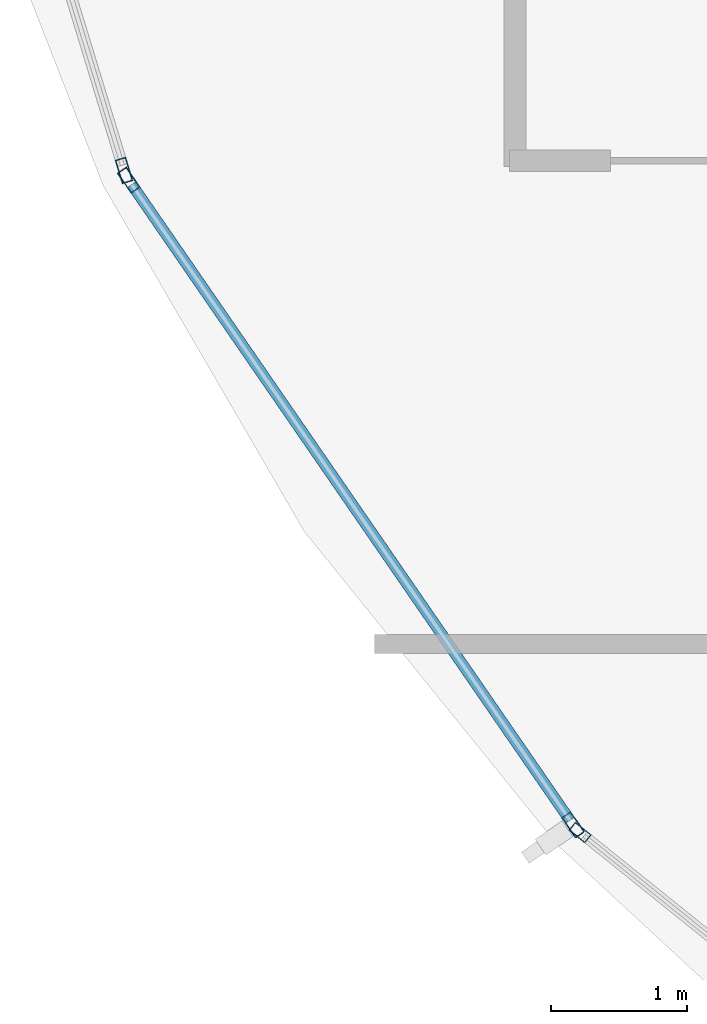
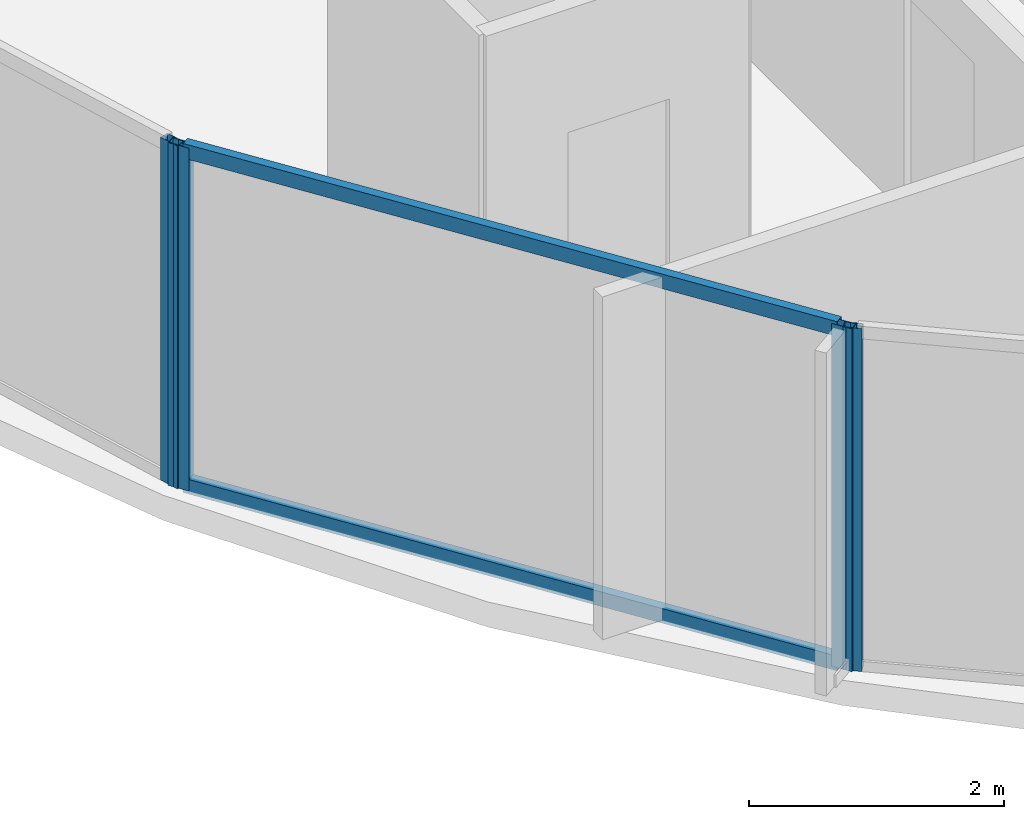
# One storey, part 3 of 33: 6 members, 3 elements without a shape of their own.
"""IFC4 building model written with IfcOpenShell, lengths in metres."""

from ifc_helpers import new_model, si_unit, direction, frame, origin, origin_2d, place, context, subcontext, project, spatial, hollow_rectangle, extrude, material, layer, layer_set, material_profile, profile_set, type_object, element, aggregate, save


model = new_model("IFC4")

# Units and contexts
model_context = context("Model", 3, precision=1e-05, world=origin(), true_north=direction((0.0, 1.0)))
body_context = subcontext(model_context, "Body", "Model", "MODEL_VIEW")
ifc_project = project(units=[si_unit("LENGTHUNIT", "METRE"), si_unit("AREAUNIT", "SQUARE_METRE"), si_unit("VOLUMEUNIT", "CUBIC_METRE"), si_unit("PLANEANGLEUNIT", "RADIAN"), si_unit("MASSUNIT", "GRAM", prefix="KILO")], contexts=[model_context])

# Site, building, storey
site_placement = place(None, origin())
site = spatial("IfcSite", under=ifc_project, at=site_placement, CompositionType="ELEMENT")
building_placement = place(site_placement, origin())
building = spatial("IfcBuilding", under=site, at=building_placement, Name="Kazevale Care Tower and Concert Hall", CompositionType="ELEMENT")
storey_placement = place(building_placement, frame((0.0, 0.0, 178.199951171875)))
storey = spatial("IfcBuildingStorey", under=building, at=storey_placement, Name="L47", CompositionType="ELEMENT", Elevation=178.199951171875)

# Curtain wall, members
ifc_material_1 = material(Name="Aluminium 6063-T6 and Low-E Glass", Category="aluminium")
ifc_layer_1 = layer(ifc_material_1, 0.179931640625)
ifc_layer_set_1 = layer_set([ifc_layer_1], Name="Aluminium 6063-T6 and Low-E Glass")
curtain_wall_type_1 = type_object("IfcCurtainWallType", Name="Waist & Upper Residential Curtain Wall CW-4", PredefinedType="NOTDEFINED", material=ifc_layer_set_1)
curtain_wall_1_placement = place(storey_placement, origin())
curtain_wall_1 = element("IfcCurtainWall", 1, at=curtain_wall_1_placement, inside=storey, type_object=curtain_wall_type_1, Name="cw:L47:f11", PredefinedType="NOTDEFINED")
ifc_material_2 = material(Name="Aluminium 6063-T6", Category="aluminium")
ifc_material_profile_1 = material_profile(ifc_material_2, hollow_rectangle(XDim=0.080078125, YDim=0.179931640625, WallThickness=0.0048828125, at=origin_2d()), Name="ALU80x180x5")
ifc_profile_set_1 = profile_set([ifc_material_profile_1], Name="Aluminium 6063-T6")
member_type_1 = type_object("IfcMemberType", Name="CW-4 Mullion ALU80x180x5", PredefinedType="MULLION", material=ifc_profile_set_1)
member_1_placement = place(storey_placement, frame((15.981201171875, 24.6708984375, 0.0), z_axis=(0.0, 0.0, 1.0), x_axis=(-0.823326035997, -0.567568708131, 0.0)))
member_1 = element("IfcMember", 2, at=member_1_placement, type_object=member_type_1, Name="CW-4 mullion 1", PredefinedType="MULLION", context=body_context, shape_type="SweptSolid", body=[
    extrude(hollow_rectangle(XDim=0.080078125, YDim=0.179931640625, WallThickness=0.0048828125, at=origin_2d()), origin(), (0.0, 0.0, 1.0), 3.280029296875),
])
member_2_placement = place(storey_placement, frame((12.7158203125, 29.407958984375, 0.0), z_axis=(0.0, 0.0, 1.0), x_axis=(-0.823326035997, -0.567568708131, 0.0)))
member_2 = element("IfcMember", 3, at=member_2_placement, type_object=member_type_1, Name="CW-4 mullion 2", PredefinedType="MULLION", context=body_context, shape_type="SweptSolid", body=[
    extrude(hollow_rectangle(XDim=0.080078125, YDim=0.179931640625, WallThickness=0.0048828125, at=origin_2d()), origin(), (0.0, 0.0, 1.0), 3.280029296875),
])

# Curtain wall, member
curtain_wall_2_placement = place(storey_placement, origin())
curtain_wall_2 = element("IfcCurtainWall", 4, at=curtain_wall_2_placement, inside=storey, type_object=curtain_wall_type_1, Name="cw:L47:f12", PredefinedType="NOTDEFINED")
member_3_placement = place(storey_placement, frame((12.681396484375, 29.479248046875, 0.0), z_axis=(0.0, 0.0, 1.0), x_axis=(-0.956729897234, -0.290977496961, 0.0)))
member_3 = element("IfcMember", 5, at=member_3_placement, type_object=member_type_1, Name="CW-4 mullion 1", PredefinedType="MULLION", context=body_context, shape_type="SweptSolid", body=[
    extrude(hollow_rectangle(XDim=0.080078125, YDim=0.179931640625, WallThickness=0.0048828125, at=origin_2d()), origin(), (0.0, 0.0, 1.0), 3.280029296875),
])
aggregate(curtain_wall_2, [member_3])

# Member
ifc_material_profile_2 = material_profile(ifc_material_2, hollow_rectangle(XDim=0.080078125, YDim=0.139892578125, WallThickness=0.00390625, at=origin_2d()), Name="ALU80x140x4")
ifc_profile_set_2 = profile_set([ifc_material_profile_2], Name="Aluminium 6063-T6")
member_type_2 = type_object("IfcMemberType", Name="CW-4 Transom ALU80x140x4", PredefinedType="USERDEFINED", material=ifc_profile_set_2)
member_4_placement = place(storey_placement, frame((15.95849609375, 24.703857421875, 0.0400390625), z_axis=(-0.567532833811, 0.823350765194, 0.0), x_axis=(-0.823350765194, -0.567532833811, 0.0)))
member_4 = element("IfcMember", 6, at=member_4_placement, type_object=member_type_2, Name="CW-4 transom 1.1", ObjectType="TRANSOM", PredefinedType="USERDEFINED", context=body_context, shape_type="SweptSolid", body=[
    extrude(hollow_rectangle(XDim=0.080078125, YDim=0.139892578125, WallThickness=0.00390625, at=origin_2d()), origin(), (0.0, 0.0, 1.0), 5.673583984375),
])

member_5_placement = place(storey_placement, frame((15.95849609375, 24.703857421875, 3.239990234375), z_axis=(-0.567532833811, 0.823350765194, 0.0), x_axis=(-0.823350765194, -0.567532833811, 0.0)))
member_5 = element("IfcMember", 7, at=member_5_placement, type_object=member_type_2, Name="CW-4 transom 1.2", ObjectType="TRANSOM", PredefinedType="USERDEFINED", context=body_context, shape_type="SweptSolid", body=[
    extrude(hollow_rectangle(XDim=0.080078125, YDim=0.139892578125, WallThickness=0.00390625, at=origin_2d()), origin(), (0.0, 0.0, 1.0), 5.673583984375),
])

aggregate(curtain_wall_1, [member_1, member_2, member_4, member_5])

# Curtain wall, member
ifc_layer_2 = layer(ifc_material_1, 0.179931640625)
ifc_layer_set_2 = layer_set([ifc_layer_2], Name="Aluminium 6063-T6 and Low-E Glass")
curtain_wall_type_2 = type_object("IfcCurtainWallType", Name="Sheltered Concave Balcony Curtain Wall CW-5", PredefinedType="NOTDEFINED", material=ifc_layer_set_2)
curtain_wall_3_placement = place(storey_placement, origin())
curtain_wall_3 = element("IfcCurtainWall", 8, at=curtain_wall_3_placement, inside=storey, type_object=curtain_wall_type_2, Name="cw:L47:f10", PredefinedType="NOTDEFINED")
ifc_material_profile_3 = material_profile(ifc_material_2, hollow_rectangle(XDim=0.074951171875, YDim=0.14990234375, WallThickness=0.00390625, at=origin_2d()), Name="ALU75x150x4")
ifc_profile_set_3 = profile_set([ifc_material_profile_3], Name="Aluminium 6063-T6")
member_type_3 = type_object("IfcMemberType", Name="CW-5 Mullion ALU75x150x4", PredefinedType="MULLION", material=ifc_profile_set_3)
member_6_placement = place(storey_placement, frame((16.033203125, 24.614501953125, 0.0), z_axis=(0.0, 0.0, 1.0), x_axis=(-0.626905357502, -0.779095419531, 0.0)))
member_6 = element("IfcMember", 9, at=member_6_placement, type_object=member_type_3, Name="CW-5 mullion 2", PredefinedType="MULLION", context=body_context, shape_type="SweptSolid", body=[
    extrude(hollow_rectangle(XDim=0.074951171875, YDim=0.14990234375, WallThickness=0.00390625, at=origin_2d()), origin(), (0.0, 0.0, 1.0), 3.280029296875),
])
aggregate(curtain_wall_3, [member_6])

save(model, "model.ifc")
